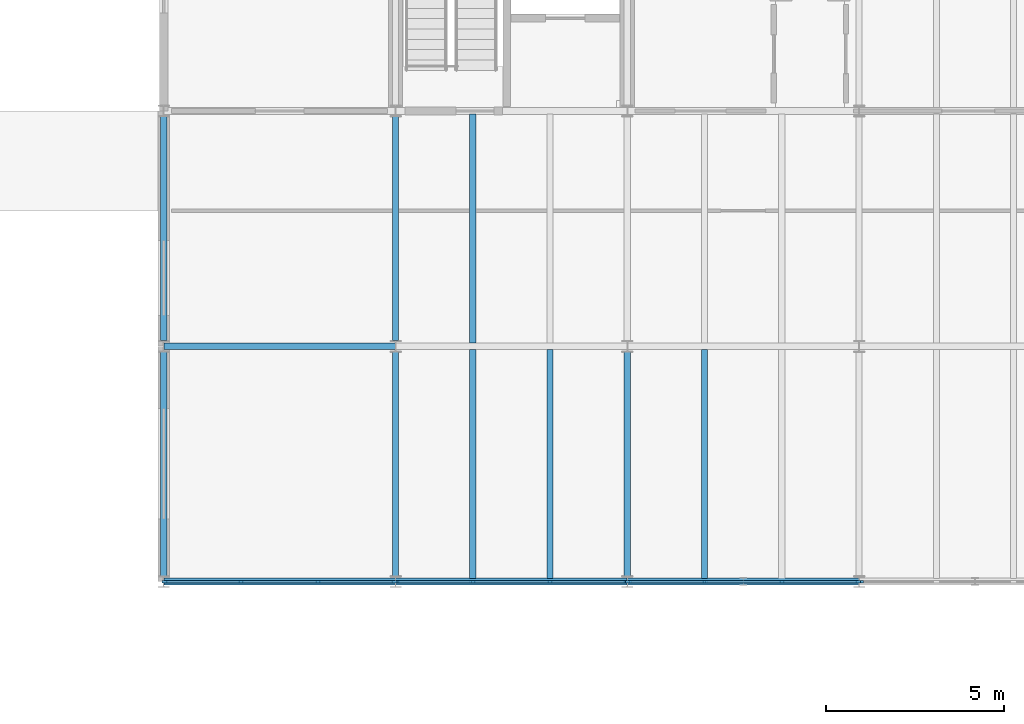
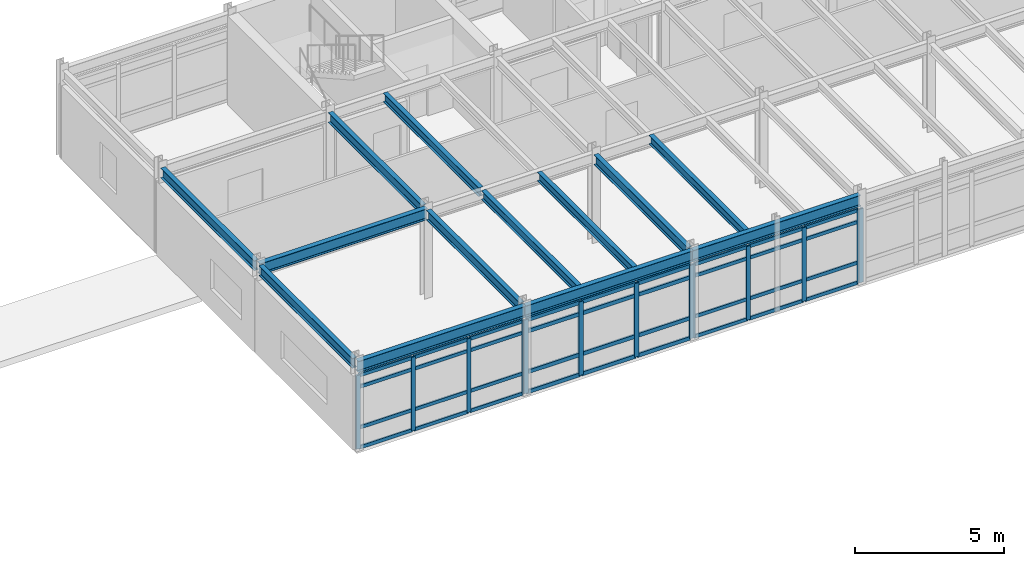
# One storey, part 15 of 49: 49 members, 13 beams, 4 elements without a shape of their own.
"""IFC4 building model written with IfcOpenShell, lengths in metres."""

from ifc_helpers import new_model, si_unit, direction, frame, origin, origin_2d, place, context, subcontext, project, spatial, rectangle, i_section, extrude, material, layer, layer_set, material_profile, profile_set, type_object, element, aggregate, save


model = new_model("IFC4")

# Units and contexts
model_context = context("Model", 3, precision=1e-05, world=origin(), true_north=direction((0.0, 1.0)))
body_context = subcontext(model_context, "Body", "Model", "MODEL_VIEW")
ifc_project = project(units=[si_unit("LENGTHUNIT", "METRE"), si_unit("AREAUNIT", "SQUARE_METRE"), si_unit("VOLUMEUNIT", "CUBIC_METRE"), si_unit("PLANEANGLEUNIT", "RADIAN"), si_unit("MASSUNIT", "GRAM", prefix="KILO")], contexts=[model_context])

# Site, building, storey
site_placement = place(None, origin())
site = spatial("IfcSite", under=ifc_project, at=site_placement, CompositionType="ELEMENT")
building_placement = place(site_placement, origin())
building = spatial("IfcBuilding", under=site, at=building_placement, Name="Trelmorton Wharf Fire Station", CompositionType="ELEMENT")
storey_placement = place(building_placement, frame((0.0, 0.0, 9.60009765625)))
storey = spatial("IfcBuildingStorey", under=building, at=storey_placement, Name="L02", CompositionType="ELEMENT", Elevation=9.60009765625)

# Beams
ifc_material_1 = material(Name="Steel Grade 350", Category="steel")
ifc_material_profile_1 = material_profile(ifc_material_1, i_section(OverallWidth=0.177978515625, OverallDepth=0.406005859375, WebThickness=0.0078125, FlangeThickness=0.0126953125, FilletRadius=0.011474609375, at=origin_2d()), Name="410UB59.7")
ifc_profile_set_1 = profile_set([ifc_material_profile_1], Name="Steel Grade 350")
beam_type_1 = type_object("IfcBeamType", Name="BM_410UB60", PredefinedType="BEAM", material=ifc_profile_set_1)
beam_1_placement = place(storey_placement, frame((104.0, 7.95654296875, 3.427001953125), z_axis=(0.0, 1.0, 0.0), x_axis=(-1.0, 0.0, 0.0)))
element("IfcBeam", 1, at=beam_1_placement, inside=storey, type_object=beam_type_1, Name="BM-L02-0813", PredefinedType="BEAM", context=body_context, shape_type="SweptSolid", body=[
    extrude(i_section(OverallWidth=0.177978515625, OverallDepth=0.406005859375, WebThickness=0.0078125, FlangeThickness=0.0126953125, FilletRadius=0.011474609375, at=origin_2d()), origin(), (0.0, 0.0, 1.0), 6.286865234375),
])
beam_2_placement = place(storey_placement, frame((104.0, 14.556396484375, 3.427001953125), z_axis=(0.0, 1.0, 0.0), x_axis=(-1.0, 0.0, 0.0)))
element("IfcBeam", 2, at=beam_2_placement, inside=storey, type_object=beam_type_1, Name="BM-L02-0814", PredefinedType="BEAM", context=body_context, shape_type="SweptSolid", body=[
    extrude(i_section(OverallWidth=0.177978515625, OverallDepth=0.406005859375, WebThickness=0.0078125, FlangeThickness=0.0126953125, FilletRadius=0.011474609375, at=origin_2d()), origin(), (0.0, 0.0, 1.0), 6.287109375),
])
beam_3_placement = place(storey_placement, frame((110.5, 7.95654296875, 3.427001953125), z_axis=(0.0, 1.0, 0.0), x_axis=(-1.0, 0.0, 0.0)))
element("IfcBeam", 3, at=beam_3_placement, inside=storey, type_object=beam_type_1, Name="BM-L02-0819", PredefinedType="BEAM", context=body_context, shape_type="SweptSolid", body=[
    extrude(i_section(OverallWidth=0.177978515625, OverallDepth=0.406005859375, WebThickness=0.0078125, FlangeThickness=0.0126953125, FilletRadius=0.011474609375, at=origin_2d()), origin(), (0.0, 0.0, 1.0), 6.286865234375),
])
beam_4_placement = place(storey_placement, frame((110.5, 14.556396484375, 3.427001953125), z_axis=(0.0, 1.0, 0.0), x_axis=(-1.0, 0.0, 0.0)))
element("IfcBeam", 4, at=beam_4_placement, inside=storey, type_object=beam_type_1, Name="BM-L02-0820", PredefinedType="BEAM", context=body_context, shape_type="SweptSolid", body=[
    extrude(i_section(OverallWidth=0.177978515625, OverallDepth=0.406005859375, WebThickness=0.0078125, FlangeThickness=0.0126953125, FilletRadius=0.011474609375, at=origin_2d()), origin(), (0.0, 0.0, 1.0), 6.287109375),
])
beam_5_placement = place(storey_placement, frame((117.0, 7.95654296875, 3.427001953125), z_axis=(0.0, 1.0, 0.0), x_axis=(-1.0, 0.0, 0.0)))
element("IfcBeam", 5, at=beam_5_placement, inside=storey, type_object=beam_type_1, Name="BM-L02-0825", PredefinedType="BEAM", context=body_context, shape_type="SweptSolid", body=[
    extrude(i_section(OverallWidth=0.177978515625, OverallDepth=0.406005859375, WebThickness=0.0078125, FlangeThickness=0.0126953125, FilletRadius=0.011474609375, at=origin_2d()), origin(), (0.0, 0.0, 1.0), 6.286865234375),
])
ifc_material_profile_2 = material_profile(ifc_material_1, i_section(OverallWidth=0.19091796875, OverallDepth=0.4599609375, WebThickness=0.010009765625, FlangeThickness=0.01611328125, FilletRadius=0.011474609375, at=origin_2d()), Name="460UB82.1")
ifc_profile_set_2 = profile_set([ifc_material_profile_2], Name="Steel Grade 350")
beam_type_2 = type_object("IfcBeamType", Name="BM_460UB82", PredefinedType="BEAM", material=ifc_profile_set_2)
beam_6_placement = place(storey_placement, frame((104.0048828125, 14.39990234375, 3.39990234375), z_axis=(1.0, 0.0, 0.0), x_axis=(0.0, 1.0, 0.0)))
element("IfcBeam", 6, at=beam_6_placement, inside=storey, type_object=beam_type_2, Name="BM-L02-0695", PredefinedType="BEAM", context=body_context, shape_type="SweptSolid", body=[
    extrude(i_section(OverallWidth=0.19091796875, OverallDepth=0.4599609375, WebThickness=0.010009765625, FlangeThickness=0.01611328125, FilletRadius=0.011474609375, at=origin_2d()), origin(), (0.0, 0.0, 1.0), 6.490234375),
])

# Curtain wall, members
ifc_material_2 = material(Name="Anodised aluminium AW-6063", Category="aluminium")
ifc_layer_1 = layer(ifc_material_2, 0.159912109375)
ifc_layer_set_1 = layer_set([ifc_layer_1], Name="Anodised aluminium AW-6063")
curtain_wall_type_1 = type_object("IfcCurtainWallType", Name="CW_CHIC_A", PredefinedType="USERDEFINED", material=ifc_layer_set_1)
curtain_wall_1_placement = place(storey_placement, origin())
curtain_wall_1 = element("IfcCurtainWall", 7, at=curtain_wall_1_placement, inside=storey, type_object=curtain_wall_type_1, Name="CW-V5-L02-049", ObjectType="CHICAGO BAY CURTAIN WALL", PredefinedType="USERDEFINED")
ifc_material_profile_3 = material_profile(ifc_material_2, rectangle(XDim=0.06494140625, YDim=0.159912109375, at=origin_2d()), Name="ALU-65x160")
ifc_profile_set_3 = profile_set([ifc_material_profile_3], Name="Anodised aluminium AW-6063")
member_type_1 = type_object("IfcMemberType", Name="CWM_65x160", PredefinedType="MULLION", material=ifc_profile_set_3)
member_1_placement = place(storey_placement, frame((110.465087890625, 7.800048828125, 0.0), z_axis=(0.0, 0.0, 1.0), x_axis=(0.0, -1.0, 0.0)))
member_1 = element("IfcMember", 8, at=member_1_placement, type_object=member_type_1, Name="CW1 mullion 1", PredefinedType="MULLION", context=body_context, shape_type="SweptSolid", body=[
    extrude(rectangle(XDim=0.06494140625, YDim=0.159912109375, at=origin_2d()), origin(), (0.0, 0.0, 1.0), 3.02001953125),
])
member_2_placement = place(storey_placement, frame((108.331787109375, 7.800048828125, 0.0), z_axis=(0.0, 0.0, 1.0), x_axis=(0.0, -1.0, 0.0)))
member_2 = element("IfcMember", 9, at=member_2_placement, type_object=member_type_1, Name="CW1 mullion 2", PredefinedType="MULLION", context=body_context, shape_type="SweptSolid", body=[
    extrude(rectangle(XDim=0.06494140625, YDim=0.159912109375, at=origin_2d()), origin(), (0.0, 0.0, 1.0), 3.02001953125),
])
member_3_placement = place(storey_placement, frame((106.168212890625, 7.800048828125, 0.0), z_axis=(0.0, 0.0, 1.0), x_axis=(0.0, -1.0, 0.0)))
member_3 = element("IfcMember", 10, at=member_3_placement, type_object=member_type_1, Name="CW1 mullion 3", PredefinedType="MULLION", context=body_context, shape_type="SweptSolid", body=[
    extrude(rectangle(XDim=0.06494140625, YDim=0.159912109375, at=origin_2d()), origin(), (0.0, 0.0, 1.0), 3.02001953125),
])
member_4_placement = place(storey_placement, frame((104.034912109375, 7.800048828125, 0.0), z_axis=(0.0, 0.0, 1.0), x_axis=(0.0, -1.0, 0.0)))
member_4 = element("IfcMember", 11, at=member_4_placement, type_object=member_type_1, Name="CW1 mullion 4", PredefinedType="MULLION", context=body_context, shape_type="SweptSolid", body=[
    extrude(rectangle(XDim=0.06494140625, YDim=0.159912109375, at=origin_2d()), origin(), (0.0, 0.0, 1.0), 3.02001953125),
])

curtain_wall_2_placement = place(storey_placement, origin())
curtain_wall_2 = element("IfcCurtainWall", 12, at=curtain_wall_2_placement, inside=storey, type_object=curtain_wall_type_1, Name="CW-V5-L02-051", ObjectType="CHICAGO BAY CURTAIN WALL", PredefinedType="USERDEFINED")
member_5_placement = place(storey_placement, frame((123.465087890625, 7.800048828125, 0.0), z_axis=(0.0, 0.0, 1.0), x_axis=(0.0, -1.0, 0.0)))
member_5 = element("IfcMember", 13, at=member_5_placement, type_object=member_type_1, Name="CW1 mullion 1", PredefinedType="MULLION", context=body_context, shape_type="SweptSolid", body=[
    extrude(rectangle(XDim=0.06494140625, YDim=0.159912109375, at=origin_2d()), origin(), (0.0, 0.0, 1.0), 3.02001953125),
])
member_6_placement = place(storey_placement, frame((121.331787109375, 7.800048828125, 0.0), z_axis=(0.0, 0.0, 1.0), x_axis=(0.0, -1.0, 0.0)))
member_6 = element("IfcMember", 14, at=member_6_placement, type_object=member_type_1, Name="CW1 mullion 2", PredefinedType="MULLION", context=body_context, shape_type="SweptSolid", body=[
    extrude(rectangle(XDim=0.06494140625, YDim=0.159912109375, at=origin_2d()), origin(), (0.0, 0.0, 1.0), 3.02001953125),
])
member_7_placement = place(storey_placement, frame((119.168212890625, 7.800048828125, 0.0), z_axis=(0.0, 0.0, 1.0), x_axis=(0.0, -1.0, 0.0)))
member_7 = element("IfcMember", 15, at=member_7_placement, type_object=member_type_1, Name="CW1 mullion 3", PredefinedType="MULLION", context=body_context, shape_type="SweptSolid", body=[
    extrude(rectangle(XDim=0.06494140625, YDim=0.159912109375, at=origin_2d()), origin(), (0.0, 0.0, 1.0), 3.02001953125),
])
member_8_placement = place(storey_placement, frame((117.034912109375, 7.800048828125, 0.0), z_axis=(0.0, 0.0, 1.0), x_axis=(0.0, -1.0, 0.0)))
member_8 = element("IfcMember", 16, at=member_8_placement, type_object=member_type_1, Name="CW1 mullion 4", PredefinedType="MULLION", context=body_context, shape_type="SweptSolid", body=[
    extrude(rectangle(XDim=0.06494140625, YDim=0.159912109375, at=origin_2d()), origin(), (0.0, 0.0, 1.0), 3.02001953125),
])

ifc_layer_2 = layer(ifc_material_2, 0.175048828125)
ifc_layer_set_2 = layer_set([ifc_layer_2], Name="Anodised aluminium AW-6063")
curtain_wall_type_2 = type_object("IfcCurtainWallType", Name="CW_CHIC_B", PredefinedType="USERDEFINED", material=ifc_layer_set_2)
curtain_wall_3_placement = place(storey_placement, origin())
curtain_wall_3 = element("IfcCurtainWall", 17, at=curtain_wall_3_placement, inside=storey, type_object=curtain_wall_type_2, Name="CW-V5-L02-050", ObjectType="CHICAGO BAY CURTAIN WALL", PredefinedType="USERDEFINED")
ifc_material_profile_4 = material_profile(ifc_material_2, rectangle(XDim=0.074951171875, YDim=0.175048828125, at=origin_2d()), Name="ALU-75x175")
ifc_profile_set_4 = profile_set([ifc_material_profile_4], Name="Anodised aluminium AW-6063")
member_type_2 = type_object("IfcMemberType", Name="CWM_75x175", PredefinedType="MULLION", material=ifc_profile_set_4)
member_9_placement = place(storey_placement, frame((116.965087890625, 7.800048828125, 0.0), z_axis=(0.0, 0.0, 1.0), x_axis=(0.0, -1.0, 0.0)))
member_9 = element("IfcMember", 18, at=member_9_placement, type_object=member_type_2, Name="CW2 mullion 1", PredefinedType="MULLION", context=body_context, shape_type="SweptSolid", body=[
    extrude(rectangle(XDim=0.074951171875, YDim=0.175048828125, at=origin_2d()), origin(), (0.0, 0.0, 1.0), 3.02001953125),
])
member_10_placement = place(storey_placement, frame((114.831787109375, 7.800048828125, 0.0), z_axis=(0.0, 0.0, 1.0), x_axis=(0.0, -1.0, 0.0)))
member_10 = element("IfcMember", 19, at=member_10_placement, type_object=member_type_2, Name="CW2 mullion 2", PredefinedType="MULLION", context=body_context, shape_type="SweptSolid", body=[
    extrude(rectangle(XDim=0.074951171875, YDim=0.175048828125, at=origin_2d()), origin(), (0.0, 0.0, 1.0), 3.02001953125),
])
member_11_placement = place(storey_placement, frame((112.668212890625, 7.800048828125, 0.0), z_axis=(0.0, 0.0, 1.0), x_axis=(0.0, -1.0, 0.0)))
member_11 = element("IfcMember", 20, at=member_11_placement, type_object=member_type_2, Name="CW2 mullion 3", PredefinedType="MULLION", context=body_context, shape_type="SweptSolid", body=[
    extrude(rectangle(XDim=0.074951171875, YDim=0.175048828125, at=origin_2d()), origin(), (0.0, 0.0, 1.0), 3.02001953125),
])
member_12_placement = place(storey_placement, frame((110.534912109375, 7.800048828125, 0.0), z_axis=(0.0, 0.0, 1.0), x_axis=(0.0, -1.0, 0.0)))
member_12 = element("IfcMember", 21, at=member_12_placement, type_object=member_type_2, Name="CW2 mullion 4", PredefinedType="MULLION", context=body_context, shape_type="SweptSolid", body=[
    extrude(rectangle(XDim=0.074951171875, YDim=0.175048828125, at=origin_2d()), origin(), (0.0, 0.0, 1.0), 3.02001953125),
])

# Curtain wall, member
curtain_wall_4_placement = place(storey_placement, origin())
curtain_wall_4 = element("IfcCurtainWall", 22, at=curtain_wall_4_placement, inside=storey, type_object=curtain_wall_type_2, Name="CW-V5-L02-052", ObjectType="CHICAGO BAY CURTAIN WALL", PredefinedType="USERDEFINED")
member_13_placement = place(storey_placement, frame((123.534912109375, 7.800048828125, 0.0), z_axis=(0.0, 0.0, 1.0), x_axis=(0.0, -1.0, 0.0)))
member_13 = element("IfcMember", 23, at=member_13_placement, type_object=member_type_2, Name="CW2 mullion 4", PredefinedType="MULLION", context=body_context, shape_type="SweptSolid", body=[
    extrude(rectangle(XDim=0.074951171875, YDim=0.175048828125, at=origin_2d()), origin(), (0.0, 0.0, 1.0), 3.02001953125),
])
aggregate(curtain_wall_4, [member_13])

# Member
ifc_material_profile_5 = material_profile(ifc_material_2, rectangle(XDim=0.06494140625, YDim=0.139892578125, at=origin_2d()), Name="ALU-65x140")
ifc_profile_set_5 = profile_set([ifc_material_profile_5], Name="Anodised aluminium AW-6063")
member_type_3 = type_object("IfcMemberType", Name="CWT_65x140", PredefinedType="USERDEFINED", material=ifc_profile_set_5)
member_14_placement = place(storey_placement, frame((110.43505859375, 7.800048828125, 0.02978515625), z_axis=(-1.0, 0.0, 0.0), x_axis=(0.0, -1.0, 0.0)))
member_14 = element("IfcMember", 24, at=member_14_placement, type_object=member_type_3, Name="CW1 transom 1.1", ObjectType="TRANSOM", PredefinedType="USERDEFINED", context=body_context, shape_type="SweptSolid", body=[
    extrude(rectangle(XDim=0.06494140625, YDim=0.139892578125, at=origin_2d()), origin(), (0.0, 0.0, 1.0), 2.073486328125),
])

member_15_placement = place(storey_placement, frame((110.43505859375, 7.800048828125, 0.849853515625), z_axis=(-1.0, 0.0, 0.0), x_axis=(0.0, -1.0, 0.0)))
member_15 = element("IfcMember", 25, at=member_15_placement, type_object=member_type_3, Name="CW1 transom 1.2", ObjectType="TRANSOM", PredefinedType="USERDEFINED", context=body_context, shape_type="SweptSolid", body=[
    extrude(rectangle(XDim=0.06494140625, YDim=0.139892578125, at=origin_2d()), origin(), (0.0, 0.0, 1.0), 2.073486328125),
])

member_16_placement = place(storey_placement, frame((110.43505859375, 7.800048828125, 2.52001953125), z_axis=(-1.0, 0.0, 0.0), x_axis=(0.0, -1.0, 0.0)))
member_16 = element("IfcMember", 26, at=member_16_placement, type_object=member_type_3, Name="CW1 transom 1.3", ObjectType="TRANSOM", PredefinedType="USERDEFINED", context=body_context, shape_type="SweptSolid", body=[
    extrude(rectangle(XDim=0.06494140625, YDim=0.139892578125, at=origin_2d()), origin(), (0.0, 0.0, 1.0), 2.073486328125),
])

member_17_placement = place(storey_placement, frame((110.43505859375, 7.800048828125, 2.989990234375), z_axis=(-1.0, 0.0, 0.0), x_axis=(0.0, -1.0, 0.0)))
member_17 = element("IfcMember", 27, at=member_17_placement, type_object=member_type_3, Name="CW1 transom 1.4", ObjectType="TRANSOM", PredefinedType="USERDEFINED", context=body_context, shape_type="SweptSolid", body=[
    extrude(rectangle(XDim=0.06494140625, YDim=0.139892578125, at=origin_2d()), origin(), (0.0, 0.0, 1.0), 2.073486328125),
])

member_18_placement = place(storey_placement, frame((108.3017578125, 7.800048828125, 0.02978515625), z_axis=(-1.0, 0.0, 0.0), x_axis=(0.0, -1.0, 0.0)))
member_18 = element("IfcMember", 28, at=member_18_placement, type_object=member_type_3, Name="CW1 transom 2.1", ObjectType="TRANSOM", PredefinedType="USERDEFINED", context=body_context, shape_type="SweptSolid", body=[
    extrude(rectangle(XDim=0.06494140625, YDim=0.139892578125, at=origin_2d()), origin(), (0.0, 0.0, 1.0), 2.103515625),
])

member_19_placement = place(storey_placement, frame((108.3017578125, 7.800048828125, 0.849853515625), z_axis=(-1.0, 0.0, 0.0), x_axis=(0.0, -1.0, 0.0)))
member_19 = element("IfcMember", 29, at=member_19_placement, type_object=member_type_3, Name="CW1 transom 2.2", ObjectType="TRANSOM", PredefinedType="USERDEFINED", context=body_context, shape_type="SweptSolid", body=[
    extrude(rectangle(XDim=0.06494140625, YDim=0.139892578125, at=origin_2d()), origin(), (0.0, 0.0, 1.0), 2.103515625),
])

member_20_placement = place(storey_placement, frame((108.3017578125, 7.800048828125, 2.52001953125), z_axis=(-1.0, 0.0, 0.0), x_axis=(0.0, -1.0, 0.0)))
member_20 = element("IfcMember", 30, at=member_20_placement, type_object=member_type_3, Name="CW1 transom 2.3", ObjectType="TRANSOM", PredefinedType="USERDEFINED", context=body_context, shape_type="SweptSolid", body=[
    extrude(rectangle(XDim=0.06494140625, YDim=0.139892578125, at=origin_2d()), origin(), (0.0, 0.0, 1.0), 2.103515625),
])

member_21_placement = place(storey_placement, frame((108.3017578125, 7.800048828125, 2.989990234375), z_axis=(-1.0, 0.0, 0.0), x_axis=(0.0, -1.0, 0.0)))
member_21 = element("IfcMember", 31, at=member_21_placement, type_object=member_type_3, Name="CW1 transom 2.4", ObjectType="TRANSOM", PredefinedType="USERDEFINED", context=body_context, shape_type="SweptSolid", body=[
    extrude(rectangle(XDim=0.06494140625, YDim=0.139892578125, at=origin_2d()), origin(), (0.0, 0.0, 1.0), 2.103515625),
])

member_22_placement = place(storey_placement, frame((106.138427734375, 7.800048828125, 0.02978515625), z_axis=(-1.0, 0.0, 0.0), x_axis=(0.0, -1.0, 0.0)))
member_22 = element("IfcMember", 32, at=member_22_placement, type_object=member_type_3, Name="CW1 transom 3.1", ObjectType="TRANSOM", PredefinedType="USERDEFINED", context=body_context, shape_type="SweptSolid", body=[
    extrude(rectangle(XDim=0.06494140625, YDim=0.139892578125, at=origin_2d()), origin(), (0.0, 0.0, 1.0), 2.073486328125),
])

member_23_placement = place(storey_placement, frame((106.138427734375, 7.800048828125, 0.849853515625), z_axis=(-1.0, 0.0, 0.0), x_axis=(0.0, -1.0, 0.0)))
member_23 = element("IfcMember", 33, at=member_23_placement, type_object=member_type_3, Name="CW1 transom 3.2", ObjectType="TRANSOM", PredefinedType="USERDEFINED", context=body_context, shape_type="SweptSolid", body=[
    extrude(rectangle(XDim=0.06494140625, YDim=0.139892578125, at=origin_2d()), origin(), (0.0, 0.0, 1.0), 2.073486328125),
])

member_24_placement = place(storey_placement, frame((106.138427734375, 7.800048828125, 2.52001953125), z_axis=(-1.0, 0.0, 0.0), x_axis=(0.0, -1.0, 0.0)))
member_24 = element("IfcMember", 34, at=member_24_placement, type_object=member_type_3, Name="CW1 transom 3.3", ObjectType="TRANSOM", PredefinedType="USERDEFINED", context=body_context, shape_type="SweptSolid", body=[
    extrude(rectangle(XDim=0.06494140625, YDim=0.139892578125, at=origin_2d()), origin(), (0.0, 0.0, 1.0), 2.073486328125),
])

member_25_placement = place(storey_placement, frame((106.138427734375, 7.800048828125, 2.989990234375), z_axis=(-1.0, 0.0, 0.0), x_axis=(0.0, -1.0, 0.0)))
member_25 = element("IfcMember", 35, at=member_25_placement, type_object=member_type_3, Name="CW1 transom 3.4", ObjectType="TRANSOM", PredefinedType="USERDEFINED", context=body_context, shape_type="SweptSolid", body=[
    extrude(rectangle(XDim=0.06494140625, YDim=0.139892578125, at=origin_2d()), origin(), (0.0, 0.0, 1.0), 2.073486328125),
])

aggregate(curtain_wall_1, [member_1, member_2, member_3, member_4, member_14, member_15, member_16, member_17, member_18, member_19, member_20, member_21, member_22, member_23, member_24, member_25])

member_26_placement = place(storey_placement, frame((123.43505859375, 7.800048828125, 0.02978515625), z_axis=(-1.0, 0.0, 0.0), x_axis=(0.0, -1.0, 0.0)))
member_26 = element("IfcMember", 36, at=member_26_placement, type_object=member_type_3, Name="CW1 transom 1.1", ObjectType="TRANSOM", PredefinedType="USERDEFINED", context=body_context, shape_type="SweptSolid", body=[
    extrude(rectangle(XDim=0.06494140625, YDim=0.139892578125, at=origin_2d()), origin(), (0.0, 0.0, 1.0), 2.073486328125),
])

member_27_placement = place(storey_placement, frame((123.43505859375, 7.800048828125, 0.849853515625), z_axis=(-1.0, 0.0, 0.0), x_axis=(0.0, -1.0, 0.0)))
member_27 = element("IfcMember", 37, at=member_27_placement, type_object=member_type_3, Name="CW1 transom 1.2", ObjectType="TRANSOM", PredefinedType="USERDEFINED", context=body_context, shape_type="SweptSolid", body=[
    extrude(rectangle(XDim=0.06494140625, YDim=0.139892578125, at=origin_2d()), origin(), (0.0, 0.0, 1.0), 2.073486328125),
])

member_28_placement = place(storey_placement, frame((123.43505859375, 7.800048828125, 2.52001953125), z_axis=(-1.0, 0.0, 0.0), x_axis=(0.0, -1.0, 0.0)))
member_28 = element("IfcMember", 38, at=member_28_placement, type_object=member_type_3, Name="CW1 transom 1.3", ObjectType="TRANSOM", PredefinedType="USERDEFINED", context=body_context, shape_type="SweptSolid", body=[
    extrude(rectangle(XDim=0.06494140625, YDim=0.139892578125, at=origin_2d()), origin(), (0.0, 0.0, 1.0), 2.073486328125),
])

member_29_placement = place(storey_placement, frame((123.43505859375, 7.800048828125, 2.989990234375), z_axis=(-1.0, 0.0, 0.0), x_axis=(0.0, -1.0, 0.0)))
member_29 = element("IfcMember", 39, at=member_29_placement, type_object=member_type_3, Name="CW1 transom 1.4", ObjectType="TRANSOM", PredefinedType="USERDEFINED", context=body_context, shape_type="SweptSolid", body=[
    extrude(rectangle(XDim=0.06494140625, YDim=0.139892578125, at=origin_2d()), origin(), (0.0, 0.0, 1.0), 2.073486328125),
])

member_30_placement = place(storey_placement, frame((121.3017578125, 7.800048828125, 0.02978515625), z_axis=(-1.0, 0.0, 0.0), x_axis=(0.0, -1.0, 0.0)))
member_30 = element("IfcMember", 40, at=member_30_placement, type_object=member_type_3, Name="CW1 transom 2.1", ObjectType="TRANSOM", PredefinedType="USERDEFINED", context=body_context, shape_type="SweptSolid", body=[
    extrude(rectangle(XDim=0.06494140625, YDim=0.139892578125, at=origin_2d()), origin(), (0.0, 0.0, 1.0), 2.103515625),
])

member_31_placement = place(storey_placement, frame((121.3017578125, 7.800048828125, 0.849853515625), z_axis=(-1.0, 0.0, 0.0), x_axis=(0.0, -1.0, 0.0)))
member_31 = element("IfcMember", 41, at=member_31_placement, type_object=member_type_3, Name="CW1 transom 2.2", ObjectType="TRANSOM", PredefinedType="USERDEFINED", context=body_context, shape_type="SweptSolid", body=[
    extrude(rectangle(XDim=0.06494140625, YDim=0.139892578125, at=origin_2d()), origin(), (0.0, 0.0, 1.0), 2.103515625),
])

member_32_placement = place(storey_placement, frame((121.3017578125, 7.800048828125, 2.52001953125), z_axis=(-1.0, 0.0, 0.0), x_axis=(0.0, -1.0, 0.0)))
member_32 = element("IfcMember", 42, at=member_32_placement, type_object=member_type_3, Name="CW1 transom 2.3", ObjectType="TRANSOM", PredefinedType="USERDEFINED", context=body_context, shape_type="SweptSolid", body=[
    extrude(rectangle(XDim=0.06494140625, YDim=0.139892578125, at=origin_2d()), origin(), (0.0, 0.0, 1.0), 2.103515625),
])

member_33_placement = place(storey_placement, frame((121.3017578125, 7.800048828125, 2.989990234375), z_axis=(-1.0, 0.0, 0.0), x_axis=(0.0, -1.0, 0.0)))
member_33 = element("IfcMember", 43, at=member_33_placement, type_object=member_type_3, Name="CW1 transom 2.4", ObjectType="TRANSOM", PredefinedType="USERDEFINED", context=body_context, shape_type="SweptSolid", body=[
    extrude(rectangle(XDim=0.06494140625, YDim=0.139892578125, at=origin_2d()), origin(), (0.0, 0.0, 1.0), 2.103515625),
])

member_34_placement = place(storey_placement, frame((119.138427734375, 7.800048828125, 0.02978515625), z_axis=(-1.0, 0.0, 0.0), x_axis=(0.0, -1.0, 0.0)))
member_34 = element("IfcMember", 44, at=member_34_placement, type_object=member_type_3, Name="CW1 transom 3.1", ObjectType="TRANSOM", PredefinedType="USERDEFINED", context=body_context, shape_type="SweptSolid", body=[
    extrude(rectangle(XDim=0.06494140625, YDim=0.139892578125, at=origin_2d()), origin(), (0.0, 0.0, 1.0), 2.073486328125),
])

member_35_placement = place(storey_placement, frame((119.138427734375, 7.800048828125, 0.849853515625), z_axis=(-1.0, 0.0, 0.0), x_axis=(0.0, -1.0, 0.0)))
member_35 = element("IfcMember", 45, at=member_35_placement, type_object=member_type_3, Name="CW1 transom 3.2", ObjectType="TRANSOM", PredefinedType="USERDEFINED", context=body_context, shape_type="SweptSolid", body=[
    extrude(rectangle(XDim=0.06494140625, YDim=0.139892578125, at=origin_2d()), origin(), (0.0, 0.0, 1.0), 2.073486328125),
])

member_36_placement = place(storey_placement, frame((119.138427734375, 7.800048828125, 2.52001953125), z_axis=(-1.0, 0.0, 0.0), x_axis=(0.0, -1.0, 0.0)))
member_36 = element("IfcMember", 46, at=member_36_placement, type_object=member_type_3, Name="CW1 transom 3.3", ObjectType="TRANSOM", PredefinedType="USERDEFINED", context=body_context, shape_type="SweptSolid", body=[
    extrude(rectangle(XDim=0.06494140625, YDim=0.139892578125, at=origin_2d()), origin(), (0.0, 0.0, 1.0), 2.073486328125),
])

member_37_placement = place(storey_placement, frame((119.138427734375, 7.800048828125, 2.989990234375), z_axis=(-1.0, 0.0, 0.0), x_axis=(0.0, -1.0, 0.0)))
member_37 = element("IfcMember", 47, at=member_37_placement, type_object=member_type_3, Name="CW1 transom 3.4", ObjectType="TRANSOM", PredefinedType="USERDEFINED", context=body_context, shape_type="SweptSolid", body=[
    extrude(rectangle(XDim=0.06494140625, YDim=0.139892578125, at=origin_2d()), origin(), (0.0, 0.0, 1.0), 2.073486328125),
])

aggregate(curtain_wall_2, [member_5, member_6, member_7, member_8, member_26, member_27, member_28, member_29, member_30, member_31, member_32, member_33, member_34, member_35, member_36, member_37])

ifc_material_profile_6 = material_profile(ifc_material_2, rectangle(XDim=0.074951171875, YDim=0.155029296875, at=origin_2d()), Name="ALU-75x155")
ifc_profile_set_6 = profile_set([ifc_material_profile_6], Name="Anodised aluminium AW-6063")
member_type_4 = type_object("IfcMemberType", Name="CWT_75x155", PredefinedType="USERDEFINED", material=ifc_profile_set_6)
member_38_placement = place(storey_placement, frame((116.93505859375, 7.800048828125, 0.02978515625), z_axis=(-1.0, 0.0, 0.0), x_axis=(0.0, -1.0, 0.0)))
member_38 = element("IfcMember", 48, at=member_38_placement, type_object=member_type_4, Name="CW2 transom 1.1", ObjectType="TRANSOM", PredefinedType="USERDEFINED", context=body_context, shape_type="SweptSolid", body=[
    extrude(rectangle(XDim=0.074951171875, YDim=0.155029296875, at=origin_2d()), origin(), (0.0, 0.0, 1.0), 2.073486328125),
])

member_39_placement = place(storey_placement, frame((116.93505859375, 7.800048828125, 0.849853515625), z_axis=(-1.0, 0.0, 0.0), x_axis=(0.0, -1.0, 0.0)))
member_39 = element("IfcMember", 49, at=member_39_placement, type_object=member_type_4, Name="CW2 transom 1.2", ObjectType="TRANSOM", PredefinedType="USERDEFINED", context=body_context, shape_type="SweptSolid", body=[
    extrude(rectangle(XDim=0.074951171875, YDim=0.155029296875, at=origin_2d()), origin(), (0.0, 0.0, 1.0), 2.073486328125),
])

member_40_placement = place(storey_placement, frame((116.93505859375, 7.800048828125, 2.52001953125), z_axis=(-1.0, 0.0, 0.0), x_axis=(0.0, -1.0, 0.0)))
member_40 = element("IfcMember", 50, at=member_40_placement, type_object=member_type_4, Name="CW2 transom 1.3", ObjectType="TRANSOM", PredefinedType="USERDEFINED", context=body_context, shape_type="SweptSolid", body=[
    extrude(rectangle(XDim=0.074951171875, YDim=0.155029296875, at=origin_2d()), origin(), (0.0, 0.0, 1.0), 2.073486328125),
])

member_41_placement = place(storey_placement, frame((116.93505859375, 7.800048828125, 2.989990234375), z_axis=(-1.0, 0.0, 0.0), x_axis=(0.0, -1.0, 0.0)))
member_41 = element("IfcMember", 51, at=member_41_placement, type_object=member_type_4, Name="CW2 transom 1.4", ObjectType="TRANSOM", PredefinedType="USERDEFINED", context=body_context, shape_type="SweptSolid", body=[
    extrude(rectangle(XDim=0.074951171875, YDim=0.155029296875, at=origin_2d()), origin(), (0.0, 0.0, 1.0), 2.073486328125),
])

member_42_placement = place(storey_placement, frame((114.8017578125, 7.800048828125, 0.02978515625), z_axis=(-1.0, 0.0, 0.0), x_axis=(0.0, -1.0, 0.0)))
member_42 = element("IfcMember", 52, at=member_42_placement, type_object=member_type_4, Name="CW2 transom 2.1", ObjectType="TRANSOM", PredefinedType="USERDEFINED", context=body_context, shape_type="SweptSolid", body=[
    extrude(rectangle(XDim=0.074951171875, YDim=0.155029296875, at=origin_2d()), origin(), (0.0, 0.0, 1.0), 2.103515625),
])

member_43_placement = place(storey_placement, frame((114.8017578125, 7.800048828125, 0.849853515625), z_axis=(-1.0, 0.0, 0.0), x_axis=(0.0, -1.0, 0.0)))
member_43 = element("IfcMember", 53, at=member_43_placement, type_object=member_type_4, Name="CW2 transom 2.2", ObjectType="TRANSOM", PredefinedType="USERDEFINED", context=body_context, shape_type="SweptSolid", body=[
    extrude(rectangle(XDim=0.074951171875, YDim=0.155029296875, at=origin_2d()), origin(), (0.0, 0.0, 1.0), 2.103515625),
])

member_44_placement = place(storey_placement, frame((114.8017578125, 7.800048828125, 2.52001953125), z_axis=(-1.0, 0.0, 0.0), x_axis=(0.0, -1.0, 0.0)))
member_44 = element("IfcMember", 54, at=member_44_placement, type_object=member_type_4, Name="CW2 transom 2.3", ObjectType="TRANSOM", PredefinedType="USERDEFINED", context=body_context, shape_type="SweptSolid", body=[
    extrude(rectangle(XDim=0.074951171875, YDim=0.155029296875, at=origin_2d()), origin(), (0.0, 0.0, 1.0), 2.103515625),
])

member_45_placement = place(storey_placement, frame((114.8017578125, 7.800048828125, 2.989990234375), z_axis=(-1.0, 0.0, 0.0), x_axis=(0.0, -1.0, 0.0)))
member_45 = element("IfcMember", 55, at=member_45_placement, type_object=member_type_4, Name="CW2 transom 2.4", ObjectType="TRANSOM", PredefinedType="USERDEFINED", context=body_context, shape_type="SweptSolid", body=[
    extrude(rectangle(XDim=0.074951171875, YDim=0.155029296875, at=origin_2d()), origin(), (0.0, 0.0, 1.0), 2.103515625),
])

member_46_placement = place(storey_placement, frame((112.638427734375, 7.800048828125, 0.02978515625), z_axis=(-1.0, 0.0, 0.0), x_axis=(0.0, -1.0, 0.0)))
member_46 = element("IfcMember", 56, at=member_46_placement, type_object=member_type_4, Name="CW2 transom 3.1", ObjectType="TRANSOM", PredefinedType="USERDEFINED", context=body_context, shape_type="SweptSolid", body=[
    extrude(rectangle(XDim=0.074951171875, YDim=0.155029296875, at=origin_2d()), origin(), (0.0, 0.0, 1.0), 2.073486328125),
])

member_47_placement = place(storey_placement, frame((112.638427734375, 7.800048828125, 0.849853515625), z_axis=(-1.0, 0.0, 0.0), x_axis=(0.0, -1.0, 0.0)))
member_47 = element("IfcMember", 57, at=member_47_placement, type_object=member_type_4, Name="CW2 transom 3.2", ObjectType="TRANSOM", PredefinedType="USERDEFINED", context=body_context, shape_type="SweptSolid", body=[
    extrude(rectangle(XDim=0.074951171875, YDim=0.155029296875, at=origin_2d()), origin(), (0.0, 0.0, 1.0), 2.073486328125),
])

member_48_placement = place(storey_placement, frame((112.638427734375, 7.800048828125, 2.52001953125), z_axis=(-1.0, 0.0, 0.0), x_axis=(0.0, -1.0, 0.0)))
member_48 = element("IfcMember", 58, at=member_48_placement, type_object=member_type_4, Name="CW2 transom 3.3", ObjectType="TRANSOM", PredefinedType="USERDEFINED", context=body_context, shape_type="SweptSolid", body=[
    extrude(rectangle(XDim=0.074951171875, YDim=0.155029296875, at=origin_2d()), origin(), (0.0, 0.0, 1.0), 2.073486328125),
])

member_49_placement = place(storey_placement, frame((112.638427734375, 7.800048828125, 2.989990234375), z_axis=(-1.0, 0.0, 0.0), x_axis=(0.0, -1.0, 0.0)))
member_49 = element("IfcMember", 59, at=member_49_placement, type_object=member_type_4, Name="CW2 transom 3.4", ObjectType="TRANSOM", PredefinedType="USERDEFINED", context=body_context, shape_type="SweptSolid", body=[
    extrude(rectangle(XDim=0.074951171875, YDim=0.155029296875, at=origin_2d()), origin(), (0.0, 0.0, 1.0), 2.073486328125),
])

aggregate(curtain_wall_3, [member_9, member_10, member_11, member_12, member_38, member_39, member_40, member_41, member_42, member_43, member_44, member_45, member_46, member_47, member_48, member_49])

# Beams
ifc_material_profile_7 = material_profile(ifc_material_1, i_section(OverallWidth=0.172119140625, OverallDepth=0.35888671875, WebThickness=0.008056640625, FlangeThickness=0.012939453125, FilletRadius=0.011474609375, at=origin_2d()), Name="360UB56.7")
ifc_profile_set_7 = profile_set([ifc_material_profile_7], Name="Steel Grade 350")
beam_type_3 = type_object("IfcBeamType", Name="JS_360UB57", PredefinedType="JOIST", material=ifc_profile_set_7)
for number, where, z_axis, x_axis, name in (
    (60, (112.666748046875, 7.889892578125, 3.450439453125), (0.0, 1.0, 0.0), (-1.0, 0.0, 0.0), "JS-L02-0249"),
    (61, (114.833251953125, 7.889892578125, 3.450439453125), (0.0, 1.0, 0.0), (-1.0, 0.0, 0.0), "JS-L02-0250"),
):
    element("IfcBeam", number, at=place(storey_placement, frame(where, z_axis=z_axis, x_axis=x_axis)), inside=storey, type_object=beam_type_3, Name=name, PredefinedType="JOIST", context=body_context, shape_type="SweptSolid", body=[
        extrude(i_section(OverallWidth=0.172119140625, OverallDepth=0.35888671875, WebThickness=0.008056640625, FlangeThickness=0.012939453125, FilletRadius=0.011474609375, at=origin_2d()), origin(), (0.0, 0.0, 1.0), 6.420166015625),
    ])
beam_7_placement = place(storey_placement, frame((112.666748046875, 14.489990234375, 3.450439453125), z_axis=(0.0, 1.0, 0.0), x_axis=(-1.0, 0.0, 0.0)))
element("IfcBeam", 62, at=beam_7_placement, inside=storey, type_object=beam_type_3, Name="JS-L02-0251", PredefinedType="JOIST", context=body_context, shape_type="SweptSolid", body=[
    extrude(i_section(OverallWidth=0.172119140625, OverallDepth=0.35888671875, WebThickness=0.008056640625, FlangeThickness=0.012939453125, FilletRadius=0.011474609375, at=origin_2d()), origin(), (0.0, 0.0, 1.0), 6.419921875),
])
beam_8_placement = place(storey_placement, frame((119.166748046875, 7.889892578125, 3.450439453125), z_axis=(0.0, 1.0, 0.0), x_axis=(-1.0, 0.0, 0.0)))
element("IfcBeam", 63, at=beam_8_placement, inside=storey, type_object=beam_type_3, Name="JS-L02-0257", PredefinedType="JOIST", context=body_context, shape_type="SweptSolid", body=[
    extrude(i_section(OverallWidth=0.172119140625, OverallDepth=0.35888671875, WebThickness=0.008056640625, FlangeThickness=0.012939453125, FilletRadius=0.011474609375, at=origin_2d()), origin(), (0.0, 0.0, 1.0), 6.420166015625),
])
ifc_material_profile_8 = material_profile(ifc_material_1, i_section(OverallWidth=0.18994140625, OverallDepth=0.45703125, WebThickness=0.009033203125, FlangeThickness=0.014404296875, FilletRadius=0.011474609375, at=origin_2d()), Name="460UB74.6")
ifc_profile_set_8 = profile_set([ifc_material_profile_8], Name="Steel Grade 350")
beam_type_4 = type_object("IfcBeamType", Name="SP_460UB75", PredefinedType="SPANDREL", material=ifc_profile_set_8)
for number, where, z_axis, x_axis, name in (
    (64, (104.0048828125, 7.800048828125, 3.4013671875), (1.0, 0.0, 0.0), (0.0, 1.0, 0.0), "BM-L02-0686"),
    (65, (110.5048828125, 7.800048828125, 3.4013671875), (1.0, 0.0, 0.0), (0.0, 1.0, 0.0), "BM-L02-0687"),
    (66, (117.0048828125, 7.800048828125, 3.4013671875), (1.0, 0.0, 0.0), (0.0, 1.0, 0.0), "BM-L02-0688"),
):
    element("IfcBeam", number, at=place(storey_placement, frame(where, z_axis=z_axis, x_axis=x_axis)), inside=storey, type_object=beam_type_4, Name=name, PredefinedType="SPANDREL", context=body_context, shape_type="SweptSolid", body=[
        extrude(i_section(OverallWidth=0.18994140625, OverallDepth=0.45703125, WebThickness=0.009033203125, FlangeThickness=0.014404296875, FilletRadius=0.011474609375, at=origin_2d()), origin(), (0.0, 0.0, 1.0), 6.490234375),
    ])

save(model, "model.ifc")
